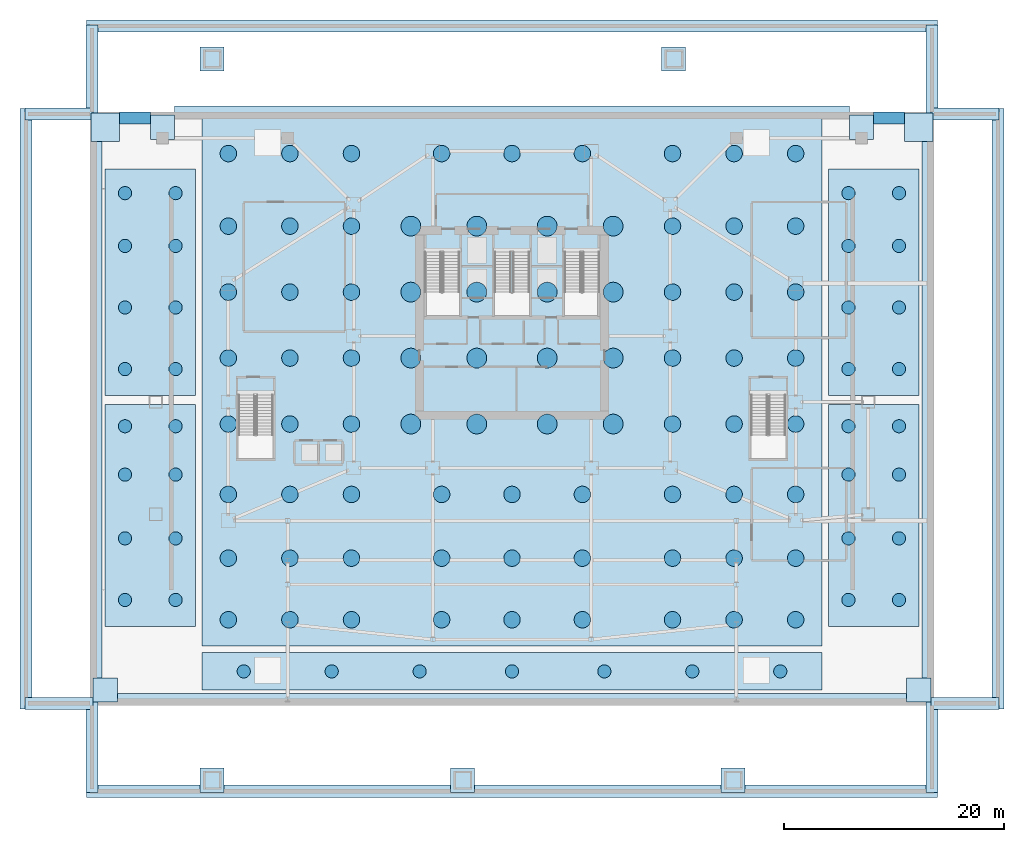
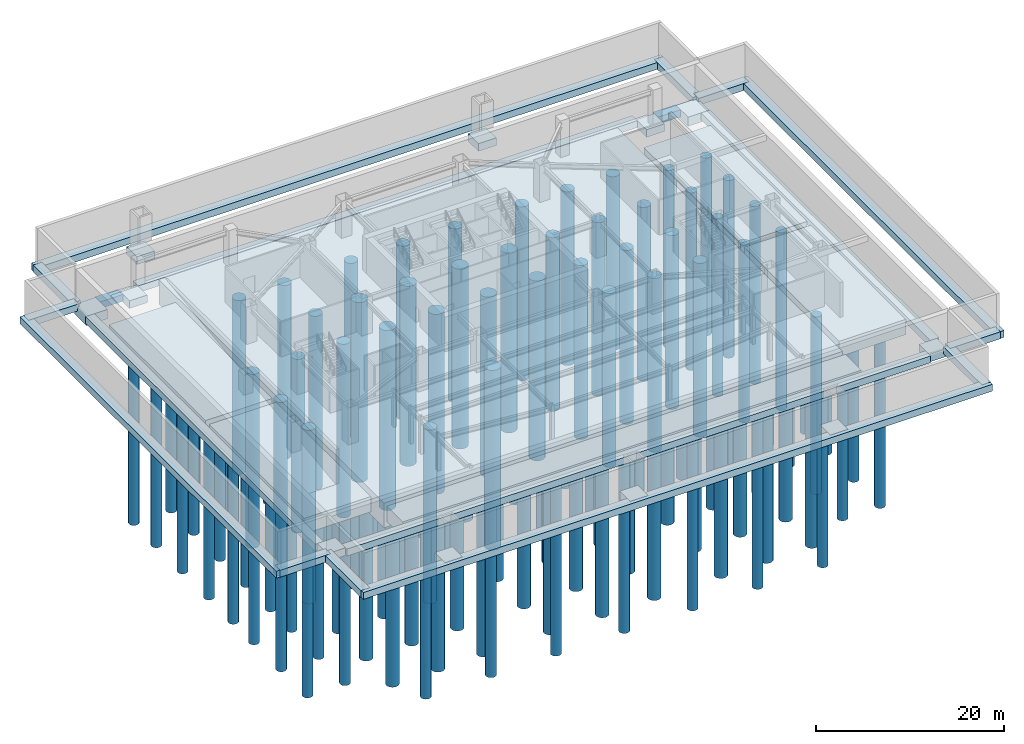
# One storey, part 1 of 15: 115 piles, 35 footings.
"""IFC4 building model written with IfcOpenShell, lengths in metres."""

import ifcopenshell
import ifcopenshell.guid

model = None  # the IFC model being written
_history = None  # IfcOwnerHistory: only IFC2X3 demands one
_inside = {}  # id of a spatial element -> (the spatial element, [elements in it])
_under = {}  # id of a project, library or spatial element -> (it, [spatial elements below it])
_declared = {}  # id of a project -> (the project, [libraries it declares])
_typed = {}  # id of a type object -> (the type object, [elements of that type])
_made_of = {}  # id of a material, layer set ... -> (it, [elements and type objects made of it])


def new_model(schema):
    """Start an empty IFC model of exactly this schema.

    Asked for "IFC4X3", IfcOpenShell would pick the latest addendum, in which some entities
    have other attributes; the version numbers below select the first issue.
    IFC2X3 requires an IfcOwnerHistory on every rooted entity: one is made here for all.
    """
    global model, _history
    if schema == "IFC4X3":
        model = ifcopenshell.file(schema_version=(4, 3, 0, 0))
    else:
        model = ifcopenshell.file(schema=schema)
    _inside.clear()
    _under.clear()
    _declared.clear()
    _typed.clear()
    _made_of.clear()
    _history = None
    if model.schema == "IFC2X3":
        org = make("IfcOrganization", Name="unknown")
        user = make(
            "IfcPersonAndOrganization",
            ThePerson=make("IfcPerson", FamilyName="unknown"),
            TheOrganization=org,
        )
        app = make(
            "IfcApplication",
            ApplicationDeveloper=org,
            Version="unknown",
            ApplicationFullName="unknown",
            ApplicationIdentifier="unknown",
        )
        _history = make(
            "IfcOwnerHistory",
            OwningUser=user,
            OwningApplication=app,
            ChangeAction="ADDED",
            CreationDate=0,
        )
    return model


def make(cls, **values):
    """One entity of the class cls with the attributes given. An attribute that is None is left unset."""
    return model.create_entity(
        cls, **{name: value for name, value in values.items() if value is not None}
    )


def rooted(cls, **values):
    """An entity with a GlobalId (a new one), such as an element, a storey or a relation."""
    return make(cls, GlobalId=ifcopenshell.guid.new(), OwnerHistory=_history, **values)


def si_unit(unit_type, name, prefix=None):
    """IfcSIUnit, for example si_unit("LENGTHUNIT", "METRE", prefix="MILLI")."""
    return make("IfcSIUnit", UnitType=unit_type, Prefix=prefix, Name=name)


def assignment(units):
    """IfcUnitAssignment: the units of a project."""
    return None if units is None else make("IfcUnitAssignment", Units=units)


def point(xyz):
    """IfcCartesianPoint."""
    return None if xyz is None else make("IfcCartesianPoint", Coordinates=xyz)


def direction(xyz):
    """IfcDirection."""
    return None if xyz is None else make("IfcDirection", DirectionRatios=xyz)


def frame(location, z_axis=None, x_axis=None):
    """IfcAxis2Placement3D, a coordinate frame: its origin and axes. An axis left out is left unset."""
    return make(
        "IfcAxis2Placement3D",
        Location=point(location),
        Axis=direction(z_axis),
        RefDirection=direction(x_axis),
    )


def frame_2d(location, x_axis=None):
    """IfcAxis2Placement2D, a coordinate frame in the plane: its origin and x axis."""
    return make(
        "IfcAxis2Placement2D", Location=point(location), RefDirection=direction(x_axis)
    )


def origin():
    """The frame at (0, 0, 0) with its axes left unset."""
    return frame((0.0, 0.0, 0.0))


def origin_2d():
    """The frame at (0, 0) in the plane with its x axis left unset."""
    return frame_2d((0.0, 0.0))


def place(relative_to, where):
    """IfcLocalPlacement: puts the frame where relative to a parent placement (None: the world)."""
    return make(
        "IfcLocalPlacement", PlacementRelTo=relative_to, RelativePlacement=where
    )


def context(
    kind, dimensions, precision=None, world=None, true_north=None, identifier=None
):
    """IfcGeometricRepresentationContext, for example the 3D "Model" context."""
    return make(
        "IfcGeometricRepresentationContext",
        ContextIdentifier=identifier,
        ContextType=kind,
        CoordinateSpaceDimension=dimensions,
        Precision=precision,
        WorldCoordinateSystem=world,
        TrueNorth=true_north,
    )


def subcontext(parent, identifier, kind, view, scale=None):
    """IfcGeometricRepresentationSubContext, for example "Body" below "Model"."""
    return make(
        "IfcGeometricRepresentationSubContext",
        ContextIdentifier=identifier,
        ContextType=kind,
        ParentContext=parent,
        TargetScale=scale,
        TargetView=view,
    )


def project(units=None, contexts=None):
    """IfcProject with its units and contexts."""
    return rooted(
        "IfcProject",
        Name="project",
        RepresentationContexts=contexts,
        UnitsInContext=assignment(units),
    )


def spatial(cls, under=None, at=None, **own):
    """A site, building, storey or space (cls), placed at a placement, below another one or the project."""
    s = rooted(cls, ObjectPlacement=at, **own)
    if under is not None:
        _under.setdefault(under.id(), (under, []))[1].append(s)
    return s


def polyline(points):
    """IfcPolyline through the points."""
    return make("IfcPolyline", Points=[point(p) for p in points])


def profile(cls, at=None, kind="AREA", **sizes):
    """A parametric profile (cls). Its sizes go by their IFC names, for example OverallWidth=200.0."""
    return make(cls, ProfileType=kind, Position=at, **sizes)


def rectangle(**sizes):
    """IfcRectangleProfileDef."""
    return profile("IfcRectangleProfileDef", **sizes)


def circle(**sizes):
    """IfcCircleProfileDef."""
    return profile("IfcCircleProfileDef", **sizes)


def outline(outer, holes=None, kind="AREA"):
    """IfcArbitraryClosedProfileDef: a profile drawn as a closed curve; with holes, ...WithVoids."""
    if holes is None:
        return make("IfcArbitraryClosedProfileDef", ProfileType=kind, OuterCurve=outer)
    return make(
        "IfcArbitraryProfileDefWithVoids",
        ProfileType=kind,
        OuterCurve=outer,
        InnerCurves=holes,
    )


def extrude(swept, where, along, depth):
    """IfcExtrudedAreaSolid: the profile swept, set in the frame where, extruded along a direction by depth."""
    return make(
        "IfcExtrudedAreaSolid",
        SweptArea=swept,
        Position=where,
        ExtrudedDirection=direction(along),
        Depth=depth,
    )


def shape(context_of_items, identifier, shape_type, items):
    """IfcShapeRepresentation: the items that make up one representation, for example the "Body"."""
    return make(
        "IfcShapeRepresentation",
        ContextOfItems=context_of_items,
        RepresentationIdentifier=identifier,
        RepresentationType=shape_type,
        Items=items,
    )


def material(Name=None, Category=None):
    """IfcMaterial."""
    return make("IfcMaterial", Name=Name, Category=Category)


def layer(
    of_material, thickness, ventilated=None, Name=None, Category=None, Priority=None
):
    """IfcMaterialLayer: one layer of a wall or slab, of a material (None: an air gap)."""
    return make(
        "IfcMaterialLayer",
        Material=of_material,
        LayerThickness=thickness,
        IsVentilated=ventilated,
        Name=Name,
        Category=Category,
        Priority=Priority,
    )


def layer_set(layers, Name=None):
    """IfcMaterialLayerSet."""
    return make("IfcMaterialLayerSet", MaterialLayers=layers, LayerSetName=Name)


def material_profile(
    of_material, cross_section, Name=None, Category=None, Priority=None
):
    """IfcMaterialProfile: a cross section and its material."""
    return make(
        "IfcMaterialProfile",
        Name=Name,
        Material=of_material,
        Profile=cross_section,
        Priority=Priority,
        Category=Category,
    )


def profile_set(profiles, Name=None, composite=None):
    """IfcMaterialProfileSet."""
    return make(
        "IfcMaterialProfileSet",
        Name=Name,
        MaterialProfiles=profiles,
        CompositeProfile=composite,
    )


def made_of(thing, what):
    """Note that an element or type object is made of a material, layer set ...; save() writes the relation."""
    if what is not None:
        _made_of.setdefault(what.id(), (what, []))[1].append(thing)
    return thing


def type_object(cls, material=None, **own):
    """A type object (cls), such as IfcWallType, which elements share."""
    return made_of(rooted(cls, **own), material)


def element(
    cls,
    number,
    at=None,
    inside=None,
    cuts=None,
    type_object=None,
    material=None,
    context=None,
    identifier="Body",
    shape_type=None,
    held_by="IfcProductDefinitionShape",
    body=None,
    shapes=None,
    **own,
):
    """One element of the class cls, such as IfcWall. Its Tag is "e" and its number.

    at: its placement. inside: the storey or other place that contains it. cuts: it is an
    opening in that element (IfcRelVoidsElement). A single representation is given by context,
    identifier, shape_type and body (its items); several are given by shapes. held_by: the class
    of the entity that holds the representations. save() writes the other relations.
    """
    e = rooted(cls, Tag="e%d" % number, ObjectPlacement=at, **own)
    if body is not None:
        shapes = [shape(context, identifier, shape_type, body)]
    if shapes is not None:
        e.Representation = make(held_by, Representations=shapes)
    if inside is not None:
        _inside.setdefault(inside.id(), (inside, []))[1].append(e)
    if cuts is not None:
        rooted(
            "IfcRelVoidsElement", RelatingBuildingElement=cuts, RelatedOpeningElement=e
        )
    if type_object is not None:
        _typed.setdefault(type_object.id(), (type_object, []))[1].append(e)
    return made_of(e, material)


def aggregate(whole, parts):
    """IfcRelAggregates: a whole, such as a stair, and the parts it consists of."""
    return rooted("IfcRelAggregates", RelatingObject=whole, RelatedObjects=parts)


def save(model, path):
    """Write the relations noted so far, then the file.

    IfcRelAggregates (storeys below a building ...), IfcRelContainedInSpatialStructure (elements
    in a storey), IfcRelDefinesByType, IfcRelAssociatesMaterial and IfcRelDeclares: one each for
    every whole, place, type object, material and project.
    """
    for whole, parts in _under.values():
        aggregate(whole, parts)
    for where, things in _inside.values():
        rooted(
            "IfcRelContainedInSpatialStructure",
            RelatedElements=things,
            RelatingStructure=where,
        )
    for kind, things in _typed.values():
        rooted("IfcRelDefinesByType", RelatedObjects=things, RelatingType=kind)
    for what, things in _made_of.values():
        rooted("IfcRelAssociatesMaterial", RelatedObjects=things, RelatingMaterial=what)
    for by, libraries in _declared.values():
        rooted("IfcRelDeclares", RelatingContext=by, RelatedDefinitions=libraries)
    model.write(path)


model = new_model("IFC4")

# Units and contexts
model_context = context("Model", 3, precision=1e-05, world=origin(), true_north=direction((0.0, 1.0)))
body_context = subcontext(model_context, "Body", "Model", "MODEL_VIEW")
ifc_project = project(units=[si_unit("LENGTHUNIT", "METRE"), si_unit("AREAUNIT", "SQUARE_METRE"), si_unit("VOLUMEUNIT", "CUBIC_METRE"), si_unit("PLANEANGLEUNIT", "RADIAN"), si_unit("MASSUNIT", "GRAM", prefix="KILO")], contexts=[model_context])

# Site, building, storey
site_placement = place(None, origin())
site = spatial("IfcSite", under=ifc_project, at=site_placement, CompositionType="ELEMENT")
building_placement = place(site_placement, origin())
building = spatial("IfcBuilding", under=site, at=building_placement, Name="Haolan Belvedere Tower", CompositionType="ELEMENT")
storey_placement = place(building_placement, frame((0.0, 0.0, -9.60009765625)))
storey = spatial("IfcBuildingStorey", under=building, at=storey_placement, Name="B2", CompositionType="ELEMENT", Elevation=-9.60009765625)

# Footings
ifc_material_1 = material(Name="Concrete C50/60", Category="concrete")
ifc_layer_1 = layer(ifc_material_1, 1.0, Name="Concrete C50/60")
ifc_layer_set_1 = layer_set([ifc_layer_1], Name="Concrete C50/60")
footing_type_1 = type_object("IfcFootingType", Name="FT-PAD-2200", PredefinedType="PAD_FOOTING", material=ifc_layer_set_1)
for number, where, z_axis, x_axis, name in (
    (1, (1.39990234375, 1.39990234375, -1.39990234375), (0.0, 0.0, 1.0), (1.0, 0.0, 0.0), "Perimeter pad footing PF-SW"),
    (2, (75.39990234375, 1.39990234375, -1.39990234375), (0.0, 0.0, 1.0), (1.0, 0.0, 0.0), "Perimeter pad footing PF-SE"),
    (3, (6.60009765625, 52.60009765625, -1.39990234375), (0.0, 0.0, 1.0), (1.0, 0.0, 0.0), "Perimeter pad footing PF-N1"),
    (4, (70.199951171875, 52.60009765625, -1.39990234375), (0.0, 0.0, 1.0), (1.0, 0.0, 0.0), "Perimeter pad footing PF-N2"),
    (5, (11.10009765625, -6.800048828125, -1.0), (0.0, 0.0, 1.0), (1.0, 0.0, 0.0), "South-west plaza step-free accessible ramp AR-1 foundation pad"),
    (6, (58.5, -6.800048828125, -1.0), (0.0, 0.0, 1.0), (1.0, 0.0, 0.0), "South-east plaza step-free accessible ramp AR-2 foundation pad"),
    (7, (11.10009765625, 58.800048828125, -1.0), (0.0, 0.0, 1.0), (1.0, 0.0, 0.0), "North-west concourse step-free accessible ramp AR-3 foundation pad"),
    (8, (53.10009765625, 58.800048828125, -1.0), (0.0, 0.0, 1.0), (1.0, 0.0, 0.0), "North-east concourse step-free accessible ramp AR-4 foundation pad"),
    (9, (33.89990234375, -6.800048828125, -1.0), (0.0, 0.0, 1.0), (1.0, 0.0, 0.0), "South central arrival plaza step-free accessible ramp AR-5 foundation pad"),
):
    element("IfcFooting", number, at=place(storey_placement, frame(where, z_axis=z_axis, x_axis=x_axis)), inside=storey, type_object=footing_type_1, Name=name, PredefinedType="PAD_FOOTING", context=body_context, shape_type="SweptSolid", body=[
        extrude(rectangle(XDim=2.199951171875, YDim=2.199951171875, at=origin_2d()), origin(), (0.0, 0.0, 1.0), 1.0),
    ])
ifc_layer_2 = layer(ifc_material_1, 1.199951171875, Name="Concrete C50/60")
ifc_layer_set_2 = layer_set([ifc_layer_2], Name="Concrete C50/60")
footing_type_2 = type_object("IfcFootingType", Name="FT-PAD-2800", PredefinedType="PAD_FOOTING", material=ifc_layer_set_2)
for number, where, z_axis, x_axis, name in (
    (10, (1.39990234375, 52.60009765625, -1.60009765625), (0.0, 0.0, 1.0), (1.0, 0.0, 0.0), "Perimeter pad footing PF-NW"),
    (11, (75.39990234375, 52.60009765625, -1.60009765625), (0.0, 0.0, 1.0), (1.0, 0.0, 0.0), "Perimeter pad footing PF-NE"),
):
    element("IfcFooting", number, at=place(storey_placement, frame(where, z_axis=z_axis, x_axis=x_axis)), inside=storey, type_object=footing_type_2, Name=name, PredefinedType="PAD_FOOTING", context=body_context, shape_type="SweptSolid", body=[
        extrude(rectangle(XDim=2.60009765625, YDim=2.60009765625, at=origin_2d()), origin(), (0.0, 0.0, 1.0), 1.199951171875),
    ])
ifc_layer_3 = layer(ifc_material_1, 2.0, Name="Concrete C50/60")
ifc_layer_set_3 = layer_set([ifc_layer_3], Name="Concrete C50/60")
footing_type_3 = type_object("IfcFootingType", Name="FT-RAFT-2000", PredefinedType="PILE_CAP", material=ifc_layer_set_3)
footing_1_placement = place(storey_placement, frame((0.0, 0.0, -2.39990234375)))
element("IfcFooting", 12, at=footing_1_placement, inside=storey, type_object=footing_type_3, Name="Podium S cascade piled raft FC-02", PredefinedType="PILE_CAP", context=body_context, shape_type="SweptSolid", body=[
    extrude(outline(polyline([(10.199951171875, 1.39990234375), (66.60009765625, 1.39990234375), (66.60009765625, 4.800048828125), (10.199951171875, 4.800048828125), (10.199951171875, 1.39990234375)])), origin(), (0.0, 0.0, 1.0), 2.0),
])
footing_2_placement = place(storey_placement, frame((0.0, 0.0, -2.39990234375)))
element("IfcFooting", 13, at=footing_2_placement, inside=storey, type_object=footing_type_3, Name="Podium WS piled raft FC-02", PredefinedType="PILE_CAP", context=body_context, shape_type="SweptSolid", body=[
    extrude(outline(polyline([(1.39990234375, 7.199951171875), (9.60009765625, 7.199951171875), (9.60009765625, 27.39990234375), (1.39990234375, 27.39990234375), (1.39990234375, 7.199951171875)])), origin(), (0.0, 0.0, 1.0), 2.0),
])
footing_3_placement = place(storey_placement, frame((0.0, 0.0, -2.39990234375)))
element("IfcFooting", 14, at=footing_3_placement, inside=storey, type_object=footing_type_3, Name="Podium WN piled raft FC-02", PredefinedType="PILE_CAP", context=body_context, shape_type="SweptSolid", body=[
    extrude(outline(polyline([(1.39990234375, 28.199951171875), (9.60009765625, 28.199951171875), (9.60009765625, 48.800048828125), (1.39990234375, 48.800048828125), (1.39990234375, 28.199951171875)])), origin(), (0.0, 0.0, 1.0), 2.0),
])
footing_4_placement = place(storey_placement, frame((0.0, 0.0, -2.39990234375)))
element("IfcFooting", 15, at=footing_4_placement, inside=storey, type_object=footing_type_3, Name="Podium ES piled raft FC-02", PredefinedType="PILE_CAP", context=body_context, shape_type="SweptSolid", body=[
    extrude(outline(polyline([(67.199951171875, 7.199951171875), (75.39990234375, 7.199951171875), (75.39990234375, 27.39990234375), (67.199951171875, 27.39990234375), (67.199951171875, 7.199951171875)])), origin(), (0.0, 0.0, 1.0), 2.0),
])
footing_5_placement = place(storey_placement, frame((0.0, 0.0, -2.39990234375)))
element("IfcFooting", 16, at=footing_5_placement, inside=storey, type_object=footing_type_3, Name="Podium EN piled raft FC-02", PredefinedType="PILE_CAP", context=body_context, shape_type="SweptSolid", body=[
    extrude(outline(polyline([(67.199951171875, 28.199951171875), (75.39990234375, 28.199951171875), (75.39990234375, 48.800048828125), (67.199951171875, 48.800048828125), (67.199951171875, 28.199951171875)])), origin(), (0.0, 0.0, 1.0), 2.0),
])
ifc_layer_4 = layer(ifc_material_1, 3.199951171875, Name="Concrete C50/60")
ifc_layer_set_4 = layer_set([ifc_layer_4], Name="Concrete C50/60")
footing_type_4 = type_object("IfcFootingType", Name="FT-RAFT-3200", PredefinedType="PILE_CAP", material=ifc_layer_set_4)
footing_6_placement = place(storey_placement, frame((0.0, 0.0, -3.599853515625)))
element("IfcFooting", 17, at=footing_6_placement, inside=storey, type_object=footing_type_4, Name="Tower and core piled raft FC-01", PredefinedType="PILE_CAP", context=body_context, shape_type="SweptSolid", body=[
    extrude(outline(polyline([(10.199951171875, 5.39990234375), (66.60009765625, 5.39990234375), (66.60009765625, 53.39990234375), (10.199951171875, 53.39990234375), (10.199951171875, 5.39990234375)])), origin(), (0.0, 0.0, 1.0), 3.199951171875),
])
ifc_layer_5 = layer(ifc_material_1, 0.89990234375, Name="Concrete C50/60")
ifc_layer_set_5 = layer_set([ifc_layer_5], Name="Concrete C50/60")
footing_type_5 = type_object("IfcFootingType", Name="FT-STRIP-1400", PredefinedType="STRIP_FOOTING", material=ifc_layer_set_5)
footing_7_placement = place(storey_placement, frame((0.0, 0.0, -1.2998046875)))
element("IfcFooting", 18, at=footing_7_placement, inside=storey, type_object=footing_type_5, Name="Retaining wall strip footing SF-S1", PredefinedType="STRIP_FOOTING", context=body_context, shape_type="SweptSolid", body=[
    extrude(outline(polyline([(2.5, 0.0), (74.300048828125, 0.0), (74.300048828125, 1.10009765625), (2.5, 1.10009765625), (2.5, 0.0)])), origin(), (0.0, 0.0, 1.0), 0.89990234375),
])
footing_8_placement = place(storey_placement, frame((0.0, 0.0, -1.2998046875)))
element("IfcFooting", 19, at=footing_8_placement, inside=storey, type_object=footing_type_5, Name="Retaining wall strip footing SF-W1", PredefinedType="STRIP_FOOTING", context=body_context, shape_type="SweptSolid", body=[
    extrude(outline(polyline([(0.0, 2.5), (1.10009765625, 2.5), (1.10009765625, 51.300048828125), (0.0, 51.300048828125), (0.0, 2.5)])), origin(), (0.0, 0.0, 1.0), 0.89990234375),
])
footing_9_placement = place(storey_placement, frame((0.0, 0.0, -1.2998046875)))
element("IfcFooting", 20, at=footing_9_placement, inside=storey, type_object=footing_type_5, Name="Retaining wall strip footing SF-E1", PredefinedType="STRIP_FOOTING", context=body_context, shape_type="SweptSolid", body=[
    extrude(outline(polyline([(75.699951171875, 2.5), (76.800048828125, 2.5), (76.800048828125, 51.300048828125), (75.699951171875, 51.300048828125), (75.699951171875, 2.5)])), origin(), (0.0, 0.0, 1.0), 0.89990234375),
])
footing_10_placement = place(storey_placement, frame((0.0, 0.0, -1.2998046875)))
element("IfcFooting", 21, at=footing_10_placement, inside=storey, type_object=footing_type_5, Name="Retaining wall strip footing SF-N-W", PredefinedType="STRIP_FOOTING", context=body_context, shape_type="SweptSolid", body=[
    extrude(outline(polyline([(2.699951171875, 52.89990234375), (5.5, 52.89990234375), (5.5, 54.0), (2.699951171875, 54.0), (2.699951171875, 52.89990234375)])), origin(), (0.0, 0.0, 1.0), 0.89990234375),
])
footing_11_placement = place(storey_placement, frame((0.0, 0.0, -1.2998046875)))
element("IfcFooting", 22, at=footing_11_placement, inside=storey, type_object=footing_type_5, Name="Retaining wall strip footing SF-N-M", PredefinedType="STRIP_FOOTING", context=body_context, shape_type="SweptSolid", body=[
    extrude(outline(polyline([(7.699951171875, 53.449951171875), (69.10009765625, 53.449951171875), (69.10009765625, 54.550048828125), (7.699951171875, 54.550048828125), (7.699951171875, 53.449951171875)])), origin(), (0.0, 0.0, 1.0), 0.89990234375),
])
footing_12_placement = place(storey_placement, frame((0.0, 0.0, -1.2998046875)))
element("IfcFooting", 23, at=footing_12_placement, inside=storey, type_object=footing_type_5, Name="Retaining wall strip footing SF-N-E", PredefinedType="STRIP_FOOTING", context=body_context, shape_type="SweptSolid", body=[
    extrude(outline(polyline([(71.300048828125, 52.89990234375), (74.10009765625, 52.89990234375), (74.10009765625, 54.0), (71.300048828125, 54.0), (71.300048828125, 52.89990234375)])), origin(), (0.0, 0.0, 1.0), 0.89990234375),
])
footing_13_placement = place(storey_placement, frame((0.0, 0.0, -0.89990234375)))
element("IfcFooting", 24, at=footing_13_placement, inside=storey, type_object=footing_type_5, Name="Apron perimeter strip footing APW-S-OUT", PredefinedType="STRIP_FOOTING", context=body_context, shape_type="SweptSolid", body=[
    extrude(outline(polyline([(-0.300048828125, -8.35009765625), (77.10009765625, -8.35009765625), (77.10009765625, -7.25), (-0.300048828125, -7.25), (-0.300048828125, -8.35009765625)])), origin(), (0.0, 0.0, 1.0), 0.89990234375),
])
footing_14_placement = place(storey_placement, frame((0.0, 0.0, -0.89990234375)))
element("IfcFooting", 25, at=footing_14_placement, inside=storey, type_object=footing_type_5, Name="Apron perimeter strip footing APW-S-W", PredefinedType="STRIP_FOOTING", context=body_context, shape_type="SweptSolid", body=[
    extrude(outline(polyline([(-0.35009765625, -7.89990234375), (0.75, -7.89990234375), (0.75, 0.300048828125), (-0.35009765625, 0.300048828125), (-0.35009765625, -7.89990234375)])), origin(), (0.0, 0.0, 1.0), 0.89990234375),
])
footing_15_placement = place(storey_placement, frame((0.0, 0.0, -0.89990234375)))
element("IfcFooting", 26, at=footing_15_placement, inside=storey, type_object=footing_type_5, Name="Apron perimeter strip footing APW-S-E", PredefinedType="STRIP_FOOTING", context=body_context, shape_type="SweptSolid", body=[
    extrude(outline(polyline([(76.050048828125, -7.89990234375), (77.14990234375, -7.89990234375), (77.14990234375, 0.300048828125), (76.050048828125, 0.300048828125), (76.050048828125, -7.89990234375)])), origin(), (0.0, 0.0, 1.0), 0.89990234375),
])
footing_16_placement = place(storey_placement, frame((0.0, 0.0, -0.89990234375)))
element("IfcFooting", 27, at=footing_16_placement, inside=storey, type_object=footing_type_5, Name="Apron perimeter strip footing APW-N-OUT", PredefinedType="STRIP_FOOTING", context=body_context, shape_type="SweptSolid", body=[
    extrude(outline(polyline([(-0.300048828125, 61.25), (77.10009765625, 61.25), (77.10009765625, 62.35009765625), (-0.300048828125, 62.35009765625), (-0.300048828125, 61.25)])), origin(), (0.0, 0.0, 1.0), 0.89990234375),
])
footing_17_placement = place(storey_placement, frame((0.0, 0.0, -0.89990234375)))
element("IfcFooting", 28, at=footing_17_placement, inside=storey, type_object=footing_type_5, Name="Apron perimeter strip footing APW-N-W", PredefinedType="STRIP_FOOTING", context=body_context, shape_type="SweptSolid", body=[
    extrude(outline(polyline([(-0.35009765625, 53.699951171875), (0.75, 53.699951171875), (0.75, 61.89990234375), (-0.35009765625, 61.89990234375), (-0.35009765625, 53.699951171875)])), origin(), (0.0, 0.0, 1.0), 0.89990234375),
])
footing_18_placement = place(storey_placement, frame((0.0, 0.0, -0.89990234375)))
element("IfcFooting", 29, at=footing_18_placement, inside=storey, type_object=footing_type_5, Name="Apron perimeter strip footing APW-N-E", PredefinedType="STRIP_FOOTING", context=body_context, shape_type="SweptSolid", body=[
    extrude(outline(polyline([(76.050048828125, 53.699951171875), (77.14990234375, 53.699951171875), (77.14990234375, 61.89990234375), (76.050048828125, 61.89990234375), (76.050048828125, 53.699951171875)])), origin(), (0.0, 0.0, 1.0), 0.89990234375),
])
footing_19_placement = place(storey_placement, frame((0.0, 0.0, -0.89990234375)))
element("IfcFooting", 30, at=footing_19_placement, inside=storey, type_object=footing_type_5, Name="Apron perimeter strip footing APW-W-OUT", PredefinedType="STRIP_FOOTING", context=body_context, shape_type="SweptSolid", body=[
    extrude(outline(polyline([(-6.35009765625, -0.300048828125), (-5.25, -0.300048828125), (-5.25, 54.300048828125), (-6.35009765625, 54.300048828125), (-6.35009765625, -0.300048828125)])), origin(), (0.0, 0.0, 1.0), 0.89990234375),
])
footing_20_placement = place(storey_placement, frame((0.0, 0.0, -0.89990234375)))
element("IfcFooting", 31, at=footing_20_placement, inside=storey, type_object=footing_type_5, Name="Apron perimeter strip footing APW-W-S", PredefinedType="STRIP_FOOTING", context=body_context, shape_type="SweptSolid", body=[
    extrude(outline(polyline([(-5.89990234375, -0.35009765625), (0.300048828125, -0.35009765625), (0.300048828125, 0.75), (-5.89990234375, 0.75), (-5.89990234375, -0.35009765625)])), origin(), (0.0, 0.0, 1.0), 0.89990234375),
])
footing_21_placement = place(storey_placement, frame((0.0, 0.0, -0.89990234375)))
element("IfcFooting", 32, at=footing_21_placement, inside=storey, type_object=footing_type_5, Name="Apron perimeter strip footing APW-W-N", PredefinedType="STRIP_FOOTING", context=body_context, shape_type="SweptSolid", body=[
    extrude(outline(polyline([(-5.89990234375, 53.25), (0.300048828125, 53.25), (0.300048828125, 54.35009765625), (-5.89990234375, 54.35009765625), (-5.89990234375, 53.25)])), origin(), (0.0, 0.0, 1.0), 0.89990234375),
])
footing_22_placement = place(storey_placement, frame((0.0, 0.0, -0.89990234375)))
element("IfcFooting", 33, at=footing_22_placement, inside=storey, type_object=footing_type_5, Name="Apron perimeter strip footing APW-E-OUT", PredefinedType="STRIP_FOOTING", context=body_context, shape_type="SweptSolid", body=[
    extrude(outline(polyline([(82.050048828125, -0.300048828125), (83.14990234375, -0.300048828125), (83.14990234375, 54.300048828125), (82.050048828125, 54.300048828125), (82.050048828125, -0.300048828125)])), origin(), (0.0, 0.0, 1.0), 0.89990234375),
])
footing_23_placement = place(storey_placement, frame((0.0, 0.0, -0.89990234375)))
element("IfcFooting", 34, at=footing_23_placement, inside=storey, type_object=footing_type_5, Name="Apron perimeter strip footing APW-E-S", PredefinedType="STRIP_FOOTING", context=body_context, shape_type="SweptSolid", body=[
    extrude(outline(polyline([(76.5, -0.35009765625), (82.699951171875, -0.35009765625), (82.699951171875, 0.75), (76.5, 0.75), (76.5, -0.35009765625)])), origin(), (0.0, 0.0, 1.0), 0.89990234375),
])
footing_24_placement = place(storey_placement, frame((0.0, 0.0, -0.89990234375)))
element("IfcFooting", 35, at=footing_24_placement, inside=storey, type_object=footing_type_5, Name="Apron perimeter strip footing APW-E-N", PredefinedType="STRIP_FOOTING", context=body_context, shape_type="SweptSolid", body=[
    extrude(outline(polyline([(76.5, 53.25), (82.699951171875, 53.25), (82.699951171875, 54.35009765625), (76.5, 54.35009765625), (76.5, 53.25)])), origin(), (0.0, 0.0, 1.0), 0.89990234375),
])

# Piles
ifc_material_2 = material(Name="Concrete C45/55", Category="concrete")
ifc_material_profile_1 = material_profile(ifc_material_2, circle(Radius=0.60009765625, at=origin_2d()), Name="Concrete C45/55")
ifc_profile_set_1 = profile_set([ifc_material_profile_1], Name="Concrete C45/55")
pile_type_1 = type_object("IfcPileType", Name="PILE-PILE1200", PredefinedType="BORED", material=ifc_profile_set_1)
for number, where, z_axis, x_axis, name in (
    (36, (3.199951171875, 9.60009765625, -2.2998046875), (0.0, 0.0, -1.0), (1.0, 0.0, 0.0), "Podium bored pile P-1200-001"),
    (37, (3.199951171875, 15.199951171875, -2.2998046875), (0.0, 0.0, -1.0), (1.0, 0.0, 0.0), "Podium bored pile P-1200-002"),
    (38, (3.199951171875, 21.0, -2.2998046875), (0.0, 0.0, -1.0), (1.0, 0.0, 0.0), "Podium bored pile P-1200-003"),
    (39, (3.199951171875, 25.39990234375, -2.2998046875), (0.0, 0.0, -1.0), (1.0, 0.0, 0.0), "Podium bored pile P-1200-004"),
    (40, (3.199951171875, 30.60009765625, -2.2998046875), (0.0, 0.0, -1.0), (1.0, 0.0, 0.0), "Podium bored pile P-1200-005"),
    (41, (3.199951171875, 36.199951171875, -2.2998046875), (0.0, 0.0, -1.0), (1.0, 0.0, 0.0), "Podium bored pile P-1200-006"),
    (42, (3.199951171875, 41.800048828125, -2.2998046875), (0.0, 0.0, -1.0), (1.0, 0.0, 0.0), "Podium bored pile P-1200-007"),
    (43, (3.199951171875, 46.60009765625, -2.2998046875), (0.0, 0.0, -1.0), (1.0, 0.0, 0.0), "Podium bored pile P-1200-008"),
    (44, (7.800048828125, 9.60009765625, -2.2998046875), (0.0, 0.0, -1.0), (1.0, 0.0, 0.0), "Podium bored pile P-1200-009"),
    (45, (7.800048828125, 15.199951171875, -2.2998046875), (0.0, 0.0, -1.0), (1.0, 0.0, 0.0), "Podium bored pile P-1200-010"),
    (46, (7.800048828125, 21.0, -2.2998046875), (0.0, 0.0, -1.0), (1.0, 0.0, 0.0), "Podium bored pile P-1200-011"),
    (47, (7.800048828125, 25.39990234375, -2.2998046875), (0.0, 0.0, -1.0), (1.0, 0.0, 0.0), "Podium bored pile P-1200-012"),
    (48, (7.800048828125, 30.60009765625, -2.2998046875), (0.0, 0.0, -1.0), (1.0, 0.0, 0.0), "Podium bored pile P-1200-013"),
    (49, (7.800048828125, 36.199951171875, -2.2998046875), (0.0, 0.0, -1.0), (1.0, 0.0, 0.0), "Podium bored pile P-1200-014"),
    (50, (7.800048828125, 41.800048828125, -2.2998046875), (0.0, 0.0, -1.0), (1.0, 0.0, 0.0), "Podium bored pile P-1200-015"),
    (51, (7.800048828125, 46.60009765625, -2.2998046875), (0.0, 0.0, -1.0), (1.0, 0.0, 0.0), "Podium bored pile P-1200-016"),
    (52, (69.0, 9.60009765625, -2.2998046875), (0.0, 0.0, -1.0), (1.0, 0.0, 0.0), "Podium bored pile P-1200-017"),
    (53, (69.0, 15.199951171875, -2.2998046875), (0.0, 0.0, -1.0), (1.0, 0.0, 0.0), "Podium bored pile P-1200-018"),
    (54, (69.0, 21.0, -2.2998046875), (0.0, 0.0, -1.0), (1.0, 0.0, 0.0), "Podium bored pile P-1200-019"),
    (55, (69.0, 25.39990234375, -2.2998046875), (0.0, 0.0, -1.0), (1.0, 0.0, 0.0), "Podium bored pile P-1200-020"),
    (56, (69.0, 30.60009765625, -2.2998046875), (0.0, 0.0, -1.0), (1.0, 0.0, 0.0), "Podium bored pile P-1200-021"),
    (57, (69.0, 36.199951171875, -2.2998046875), (0.0, 0.0, -1.0), (1.0, 0.0, 0.0), "Podium bored pile P-1200-022"),
    (58, (69.0, 41.800048828125, -2.2998046875), (0.0, 0.0, -1.0), (1.0, 0.0, 0.0), "Podium bored pile P-1200-023"),
    (59, (69.0, 46.60009765625, -2.2998046875), (0.0, 0.0, -1.0), (1.0, 0.0, 0.0), "Podium bored pile P-1200-024"),
    (60, (73.60009765625, 9.60009765625, -2.2998046875), (0.0, 0.0, -1.0), (1.0, 0.0, 0.0), "Podium bored pile P-1200-025"),
    (61, (73.60009765625, 15.199951171875, -2.2998046875), (0.0, 0.0, -1.0), (1.0, 0.0, 0.0), "Podium bored pile P-1200-026"),
    (62, (73.60009765625, 21.0, -2.2998046875), (0.0, 0.0, -1.0), (1.0, 0.0, 0.0), "Podium bored pile P-1200-027"),
    (63, (73.60009765625, 25.39990234375, -2.2998046875), (0.0, 0.0, -1.0), (1.0, 0.0, 0.0), "Podium bored pile P-1200-028"),
    (64, (73.60009765625, 30.60009765625, -2.2998046875), (0.0, 0.0, -1.0), (1.0, 0.0, 0.0), "Podium bored pile P-1200-029"),
    (65, (73.60009765625, 36.199951171875, -2.2998046875), (0.0, 0.0, -1.0), (1.0, 0.0, 0.0), "Podium bored pile P-1200-030"),
    (66, (73.60009765625, 41.800048828125, -2.2998046875), (0.0, 0.0, -1.0), (1.0, 0.0, 0.0), "Podium bored pile P-1200-031"),
    (67, (73.60009765625, 46.60009765625, -2.2998046875), (0.0, 0.0, -1.0), (1.0, 0.0, 0.0), "Podium bored pile P-1200-032"),
    (68, (14.0, 3.10009765625, -2.2998046875), (0.0, 0.0, -1.0), (1.0, 0.0, 0.0), "Podium bored pile P-1200-033"),
    (69, (22.0, 3.10009765625, -2.2998046875), (0.0, 0.0, -1.0), (1.0, 0.0, 0.0), "Podium bored pile P-1200-034"),
    (70, (30.0, 3.10009765625, -2.2998046875), (0.0, 0.0, -1.0), (1.0, 0.0, 0.0), "Podium bored pile P-1200-035"),
    (71, (38.39990234375, 3.10009765625, -2.2998046875), (0.0, 0.0, -1.0), (1.0, 0.0, 0.0), "Podium bored pile P-1200-036"),
    (72, (46.800048828125, 3.10009765625, -2.2998046875), (0.0, 0.0, -1.0), (1.0, 0.0, 0.0), "Podium bored pile P-1200-037"),
    (73, (54.800048828125, 3.10009765625, -2.2998046875), (0.0, 0.0, -1.0), (1.0, 0.0, 0.0), "Podium bored pile P-1200-038"),
    (74, (62.800048828125, 3.10009765625, -2.2998046875), (0.0, 0.0, -1.0), (1.0, 0.0, 0.0), "Podium bored pile P-1200-039"),
):
    element("IfcPile", number, at=place(storey_placement, frame(where, z_axis=z_axis, x_axis=x_axis)), inside=storey, type_object=pile_type_1, Name=name, PredefinedType="BORED", context=body_context, shape_type="SweptSolid", body=[
        extrude(circle(Radius=0.60009765625, at=origin_2d()), origin(), (0.0, 0.0, 1.0), 23.10009765625),
    ])
ifc_material_profile_2 = material_profile(ifc_material_2, circle(Radius=0.75, at=origin_2d()), Name="Concrete C45/55")
ifc_profile_set_2 = profile_set([ifc_material_profile_2], Name="Concrete C45/55")
pile_type_2 = type_object("IfcPileType", Name="PILE-PILE1500", PredefinedType="BORED", material=ifc_profile_set_2)
for number, where, z_axis, x_axis, name in (
    (75, (12.60009765625, 7.800048828125, -3.5), (0.0, 0.0, -1.0), (1.0, 0.0, 0.0), "Tower bored pile P-1500-001"),
    (76, (12.60009765625, 13.39990234375, -3.5), (0.0, 0.0, -1.0), (1.0, 0.0, 0.0), "Tower bored pile P-1500-002"),
    (77, (12.60009765625, 19.199951171875, -3.5), (0.0, 0.0, -1.0), (1.0, 0.0, 0.0), "Tower bored pile P-1500-003"),
    (78, (12.60009765625, 25.60009765625, -3.5), (0.0, 0.0, -1.0), (1.0, 0.0, 0.0), "Tower bored pile P-1500-004"),
    (79, (12.60009765625, 31.60009765625, -3.5), (0.0, 0.0, -1.0), (1.0, 0.0, 0.0), "Tower bored pile P-1500-005"),
    (80, (12.60009765625, 37.60009765625, -3.5), (0.0, 0.0, -1.0), (1.0, 0.0, 0.0), "Tower bored pile P-1500-006"),
    (81, (12.60009765625, 43.60009765625, -3.5), (0.0, 0.0, -1.0), (1.0, 0.0, 0.0), "Tower bored pile P-1500-007"),
    (82, (12.60009765625, 50.199951171875, -3.5), (0.0, 0.0, -1.0), (1.0, 0.0, 0.0), "Tower bored pile P-1500-008"),
    (83, (18.199951171875, 7.800048828125, -3.5), (0.0, 0.0, -1.0), (1.0, 0.0, 0.0), "Tower bored pile P-1500-009"),
    (84, (18.199951171875, 13.39990234375, -3.5), (0.0, 0.0, -1.0), (1.0, 0.0, 0.0), "Tower bored pile P-1500-010"),
    (85, (18.199951171875, 19.199951171875, -3.5), (0.0, 0.0, -1.0), (1.0, 0.0, 0.0), "Tower bored pile P-1500-011"),
    (86, (18.199951171875, 25.60009765625, -3.5), (0.0, 0.0, -1.0), (1.0, 0.0, 0.0), "Tower bored pile P-1500-012"),
    (87, (18.199951171875, 31.60009765625, -3.5), (0.0, 0.0, -1.0), (1.0, 0.0, 0.0), "Tower bored pile P-1500-013"),
    (88, (18.199951171875, 37.60009765625, -3.5), (0.0, 0.0, -1.0), (1.0, 0.0, 0.0), "Tower bored pile P-1500-014"),
    (89, (18.199951171875, 43.60009765625, -3.5), (0.0, 0.0, -1.0), (1.0, 0.0, 0.0), "Tower bored pile P-1500-015"),
    (90, (18.199951171875, 50.199951171875, -3.5), (0.0, 0.0, -1.0), (1.0, 0.0, 0.0), "Tower bored pile P-1500-016"),
    (91, (23.800048828125, 7.800048828125, -3.5), (0.0, 0.0, -1.0), (1.0, 0.0, 0.0), "Tower bored pile P-1500-017"),
    (92, (23.800048828125, 13.39990234375, -3.5), (0.0, 0.0, -1.0), (1.0, 0.0, 0.0), "Tower bored pile P-1500-018"),
    (93, (23.800048828125, 19.199951171875, -3.5), (0.0, 0.0, -1.0), (1.0, 0.0, 0.0), "Tower bored pile P-1500-019"),
    (94, (23.800048828125, 25.60009765625, -3.5), (0.0, 0.0, -1.0), (1.0, 0.0, 0.0), "Tower bored pile P-1500-020"),
    (95, (23.800048828125, 31.60009765625, -3.5), (0.0, 0.0, -1.0), (1.0, 0.0, 0.0), "Tower bored pile P-1500-021"),
    (96, (23.800048828125, 37.60009765625, -3.5), (0.0, 0.0, -1.0), (1.0, 0.0, 0.0), "Tower bored pile P-1500-022"),
    (97, (23.800048828125, 43.60009765625, -3.5), (0.0, 0.0, -1.0), (1.0, 0.0, 0.0), "Tower bored pile P-1500-023"),
    (98, (23.800048828125, 50.199951171875, -3.5), (0.0, 0.0, -1.0), (1.0, 0.0, 0.0), "Tower bored pile P-1500-024"),
    (99, (32.0, 7.800048828125, -3.5), (0.0, 0.0, -1.0), (1.0, 0.0, 0.0), "Tower bored pile P-1500-025"),
    (100, (32.0, 13.39990234375, -3.5), (0.0, 0.0, -1.0), (1.0, 0.0, 0.0), "Tower bored pile P-1500-026"),
    (101, (32.0, 19.199951171875, -3.5), (0.0, 0.0, -1.0), (1.0, 0.0, 0.0), "Tower bored pile P-1500-027"),
    (102, (32.0, 50.199951171875, -3.5), (0.0, 0.0, -1.0), (1.0, 0.0, 0.0), "Tower bored pile P-1500-028"),
    (103, (38.39990234375, 7.800048828125, -3.5), (0.0, 0.0, -1.0), (1.0, 0.0, 0.0), "Tower bored pile P-1500-029"),
    (104, (38.39990234375, 13.39990234375, -3.5), (0.0, 0.0, -1.0), (1.0, 0.0, 0.0), "Tower bored pile P-1500-030"),
    (105, (38.39990234375, 19.199951171875, -3.5), (0.0, 0.0, -1.0), (1.0, 0.0, 0.0), "Tower bored pile P-1500-031"),
    (106, (38.39990234375, 50.199951171875, -3.5), (0.0, 0.0, -1.0), (1.0, 0.0, 0.0), "Tower bored pile P-1500-032"),
    (107, (44.800048828125, 7.800048828125, -3.5), (0.0, 0.0, -1.0), (1.0, 0.0, 0.0), "Tower bored pile P-1500-033"),
    (108, (44.800048828125, 13.39990234375, -3.5), (0.0, 0.0, -1.0), (1.0, 0.0, 0.0), "Tower bored pile P-1500-034"),
    (109, (44.800048828125, 19.199951171875, -3.5), (0.0, 0.0, -1.0), (1.0, 0.0, 0.0), "Tower bored pile P-1500-035"),
    (110, (44.800048828125, 50.199951171875, -3.5), (0.0, 0.0, -1.0), (1.0, 0.0, 0.0), "Tower bored pile P-1500-036"),
    (111, (53.0, 7.800048828125, -3.5), (0.0, 0.0, -1.0), (1.0, 0.0, 0.0), "Tower bored pile P-1500-037"),
    (112, (53.0, 13.39990234375, -3.5), (0.0, 0.0, -1.0), (1.0, 0.0, 0.0), "Tower bored pile P-1500-038"),
    (113, (53.0, 19.199951171875, -3.5), (0.0, 0.0, -1.0), (1.0, 0.0, 0.0), "Tower bored pile P-1500-039"),
    (114, (53.0, 25.60009765625, -3.5), (0.0, 0.0, -1.0), (1.0, 0.0, 0.0), "Tower bored pile P-1500-040"),
    (115, (53.0, 31.60009765625, -3.5), (0.0, 0.0, -1.0), (1.0, 0.0, 0.0), "Tower bored pile P-1500-041"),
    (116, (53.0, 37.60009765625, -3.5), (0.0, 0.0, -1.0), (1.0, 0.0, 0.0), "Tower bored pile P-1500-042"),
    (117, (53.0, 43.60009765625, -3.5), (0.0, 0.0, -1.0), (1.0, 0.0, 0.0), "Tower bored pile P-1500-043"),
    (118, (53.0, 50.199951171875, -3.5), (0.0, 0.0, -1.0), (1.0, 0.0, 0.0), "Tower bored pile P-1500-044"),
    (119, (58.60009765625, 7.800048828125, -3.5), (0.0, 0.0, -1.0), (1.0, 0.0, 0.0), "Tower bored pile P-1500-045"),
    (120, (58.60009765625, 13.39990234375, -3.5), (0.0, 0.0, -1.0), (1.0, 0.0, 0.0), "Tower bored pile P-1500-046"),
    (121, (58.60009765625, 19.199951171875, -3.5), (0.0, 0.0, -1.0), (1.0, 0.0, 0.0), "Tower bored pile P-1500-047"),
    (122, (58.60009765625, 25.60009765625, -3.5), (0.0, 0.0, -1.0), (1.0, 0.0, 0.0), "Tower bored pile P-1500-048"),
    (123, (58.60009765625, 31.60009765625, -3.5), (0.0, 0.0, -1.0), (1.0, 0.0, 0.0), "Tower bored pile P-1500-049"),
    (124, (58.60009765625, 37.60009765625, -3.5), (0.0, 0.0, -1.0), (1.0, 0.0, 0.0), "Tower bored pile P-1500-050"),
    (125, (58.60009765625, 43.60009765625, -3.5), (0.0, 0.0, -1.0), (1.0, 0.0, 0.0), "Tower bored pile P-1500-051"),
    (126, (58.60009765625, 50.199951171875, -3.5), (0.0, 0.0, -1.0), (1.0, 0.0, 0.0), "Tower bored pile P-1500-052"),
    (127, (64.199951171875, 7.800048828125, -3.5), (0.0, 0.0, -1.0), (1.0, 0.0, 0.0), "Tower bored pile P-1500-053"),
    (128, (64.199951171875, 13.39990234375, -3.5), (0.0, 0.0, -1.0), (1.0, 0.0, 0.0), "Tower bored pile P-1500-054"),
    (129, (64.199951171875, 19.199951171875, -3.5), (0.0, 0.0, -1.0), (1.0, 0.0, 0.0), "Tower bored pile P-1500-055"),
    (130, (64.199951171875, 25.60009765625, -3.5), (0.0, 0.0, -1.0), (1.0, 0.0, 0.0), "Tower bored pile P-1500-056"),
    (131, (64.199951171875, 31.60009765625, -3.5), (0.0, 0.0, -1.0), (1.0, 0.0, 0.0), "Tower bored pile P-1500-057"),
    (132, (64.199951171875, 37.60009765625, -3.5), (0.0, 0.0, -1.0), (1.0, 0.0, 0.0), "Tower bored pile P-1500-058"),
    (133, (64.199951171875, 43.60009765625, -3.5), (0.0, 0.0, -1.0), (1.0, 0.0, 0.0), "Tower bored pile P-1500-059"),
    (134, (64.199951171875, 50.199951171875, -3.5), (0.0, 0.0, -1.0), (1.0, 0.0, 0.0), "Tower bored pile P-1500-060"),
):
    element("IfcPile", number, at=place(storey_placement, frame(where, z_axis=z_axis, x_axis=x_axis)), inside=storey, type_object=pile_type_2, Name=name, PredefinedType="BORED", context=body_context, shape_type="SweptSolid", body=[
        extrude(circle(Radius=0.75, at=origin_2d()), origin(), (0.0, 0.0, 1.0), 22.60009765625),
    ])
ifc_material_profile_3 = material_profile(ifc_material_2, circle(Radius=0.89990234375, at=origin_2d()), Name="Concrete C45/55")
ifc_profile_set_3 = profile_set([ifc_material_profile_3], Name="Concrete C45/55")
pile_type_3 = type_object("IfcPileType", Name="PILE-PILE1800", PredefinedType="BORED", material=ifc_profile_set_3)
for number, where, z_axis, x_axis, name in (
    (135, (29.199951171875, 25.60009765625, -3.5), (0.0, 0.0, -1.0), (1.0, 0.0, 0.0), "Core bored pile P-1800-001"),
    (136, (29.199951171875, 31.60009765625, -3.5), (0.0, 0.0, -1.0), (1.0, 0.0, 0.0), "Core bored pile P-1800-002"),
    (137, (29.199951171875, 37.60009765625, -3.5), (0.0, 0.0, -1.0), (1.0, 0.0, 0.0), "Core bored pile P-1800-003"),
    (138, (29.199951171875, 43.60009765625, -3.5), (0.0, 0.0, -1.0), (1.0, 0.0, 0.0), "Core bored pile P-1800-004"),
    (139, (35.199951171875, 25.60009765625, -3.5), (0.0, 0.0, -1.0), (1.0, 0.0, 0.0), "Core bored pile P-1800-005"),
    (140, (35.199951171875, 31.60009765625, -3.5), (0.0, 0.0, -1.0), (1.0, 0.0, 0.0), "Core bored pile P-1800-006"),
    (141, (35.199951171875, 37.60009765625, -3.5), (0.0, 0.0, -1.0), (1.0, 0.0, 0.0), "Core bored pile P-1800-007"),
    (142, (35.199951171875, 43.60009765625, -3.5), (0.0, 0.0, -1.0), (1.0, 0.0, 0.0), "Core bored pile P-1800-008"),
    (143, (41.60009765625, 25.60009765625, -3.5), (0.0, 0.0, -1.0), (1.0, 0.0, 0.0), "Core bored pile P-1800-009"),
    (144, (41.60009765625, 31.60009765625, -3.5), (0.0, 0.0, -1.0), (1.0, 0.0, 0.0), "Core bored pile P-1800-010"),
    (145, (41.60009765625, 37.60009765625, -3.5), (0.0, 0.0, -1.0), (1.0, 0.0, 0.0), "Core bored pile P-1800-011"),
    (146, (41.60009765625, 43.60009765625, -3.5), (0.0, 0.0, -1.0), (1.0, 0.0, 0.0), "Core bored pile P-1800-012"),
    (147, (47.60009765625, 25.60009765625, -3.5), (0.0, 0.0, -1.0), (1.0, 0.0, 0.0), "Core bored pile P-1800-013"),
    (148, (47.60009765625, 31.60009765625, -3.5), (0.0, 0.0, -1.0), (1.0, 0.0, 0.0), "Core bored pile P-1800-014"),
    (149, (47.60009765625, 37.60009765625, -3.5), (0.0, 0.0, -1.0), (1.0, 0.0, 0.0), "Core bored pile P-1800-015"),
    (150, (47.60009765625, 43.60009765625, -3.5), (0.0, 0.0, -1.0), (1.0, 0.0, 0.0), "Core bored pile P-1800-016"),
):
    element("IfcPile", number, at=place(storey_placement, frame(where, z_axis=z_axis, x_axis=x_axis)), inside=storey, type_object=pile_type_3, Name=name, PredefinedType="BORED", context=body_context, shape_type="SweptSolid", body=[
        extrude(circle(Radius=0.89990234375, at=origin_2d()), origin(), (0.0, 0.0, 1.0), 23.39990234375),
    ])

save(model, "model.ifc")
